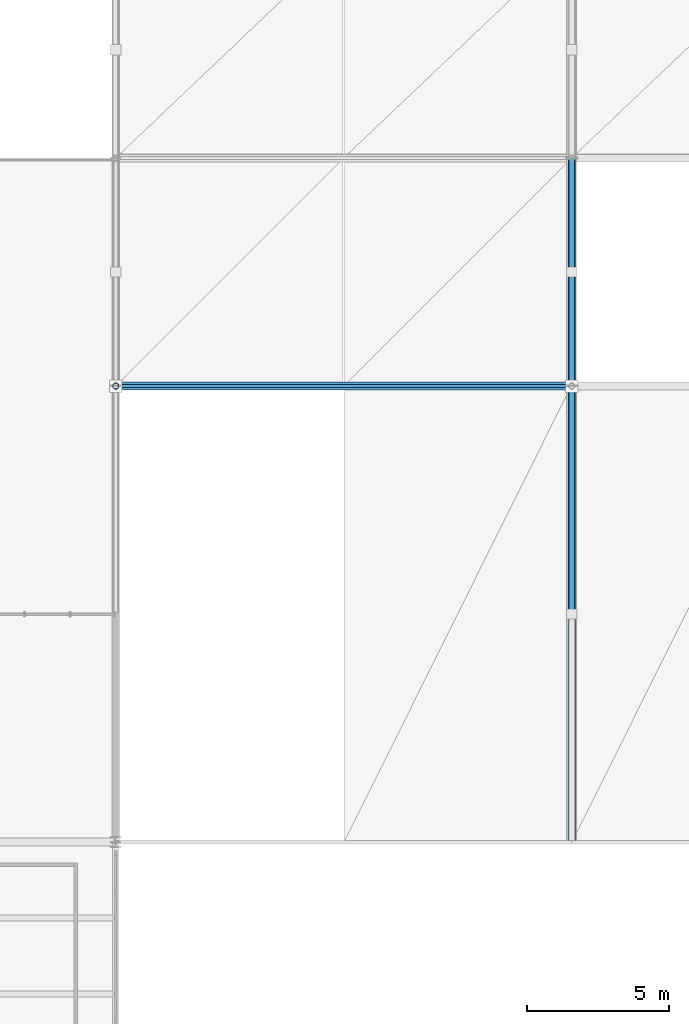
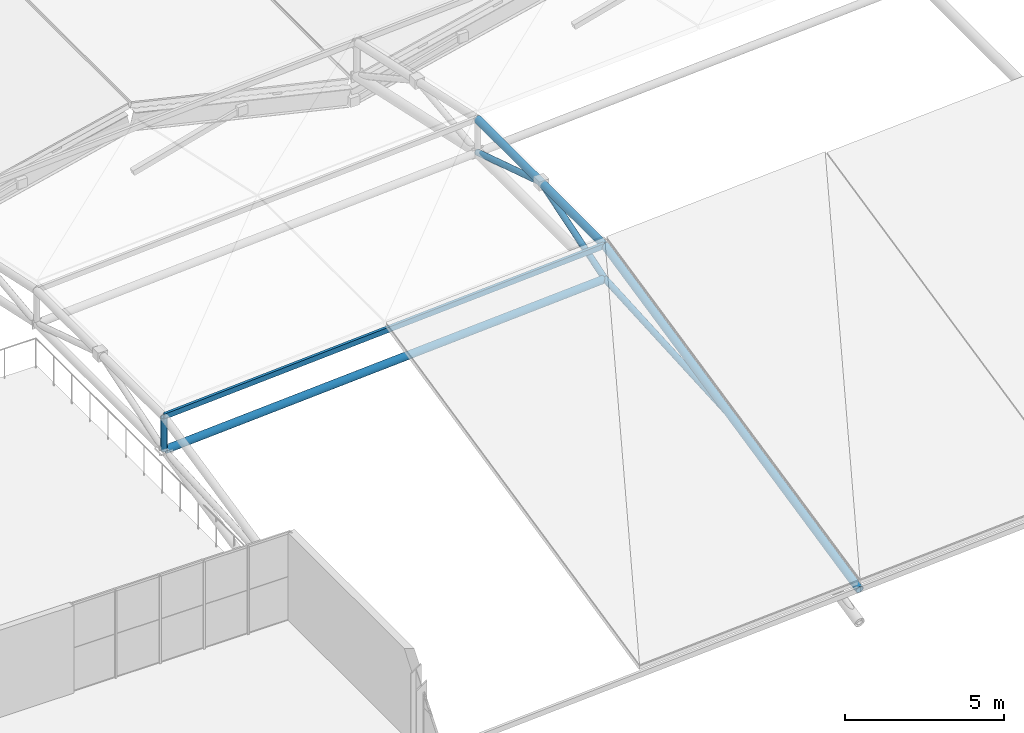
# One storey, part 10 of 67: 7 members, 1 beam.
"""IFC4 building model written with IfcOpenShell, lengths in metres."""

from ifc_helpers import new_model, si_unit, direction, frame, origin, origin_2d, place, context, subcontext, project, spatial, hollow_rectangle, hollow_circle, extrude, material, material_profile, profile_set, type_object, element, save


model = new_model("IFC4")

# Units and contexts
model_context = context("Model", 3, precision=1e-05, world=origin(), true_north=direction((0.0, 1.0)))
body_context = subcontext(model_context, "Body", "Model", "MODEL_VIEW")
ifc_project = project(units=[si_unit("LENGTHUNIT", "METRE"), si_unit("AREAUNIT", "SQUARE_METRE"), si_unit("VOLUMEUNIT", "CUBIC_METRE"), si_unit("PLANEANGLEUNIT", "RADIAN"), si_unit("MASSUNIT", "GRAM", prefix="KILO")], contexts=[model_context])

# Site, building, storey
site_placement = place(None, origin())
site = spatial("IfcSite", under=ifc_project, at=site_placement, CompositionType="ELEMENT")
building_placement = place(site_placement, origin())
building = spatial("IfcBuilding", under=site, at=building_placement, Name="Drelvath Fold Interchange", CompositionType="ELEMENT")
storey_placement = place(building_placement, frame((0.0, 0.0, 15.60009765625)))
storey = spatial("IfcBuildingStorey", under=building, at=storey_placement, Name="L03", CompositionType="ELEMENT", Elevation=15.60009765625)

# Members
ifc_material = material(Name="Steel ASTM A500 Grade C", Category="steel")
ifc_material_profile_1 = material_profile(ifc_material, hollow_rectangle(XDim=0.10205078125, YDim=0.202880859375, WallThickness=0.00732421875, at=origin_2d()), Name="HSS8X4X5/16")
ifc_profile_set_1 = profile_set([ifc_material_profile_1], Name="Steel ASTM A500 Grade C")
member_type_1 = type_object("IfcMemberType", Name="PR-HSS203", PredefinedType="PURLIN", material=ifc_profile_set_1)
member_1_placement = place(storey_placement, frame((52.0, 43.0, 2.919921875), z_axis=(0.998197699277, 0.0, 0.060011275256), x_axis=(0.0, 1.0, 0.0)))
element("IfcMember", 1, at=member_1_placement, inside=storey, type_object=member_type_1, Name="L03 Space frame canopy purlin PR-HSS203", PredefinedType="PURLIN", context=body_context, shape_type="SweptSolid", body=[
    extrude(hollow_rectangle(XDim=0.10205078125, YDim=0.202880859375, WallThickness=0.00732421875, at=origin_2d()), origin(), (0.0, 0.0, 1.0), 16.02880859375),
])
ifc_material_profile_2 = material_profile(ifc_material, hollow_circle(Radius=0.136474609375, WallThickness=0.01171875, at=origin_2d()), Name="HSS10.750X0.500")
ifc_profile_set_2 = profile_set([ifc_material_profile_2], Name="Steel ASTM A500 Grade C")
member_type_2 = type_object("IfcMemberType", Name="SF-CHD273", PredefinedType="CHORD", material=ifc_profile_set_2)
member_2_placement = place(storey_placement, frame((68.0, 27.0, 0.36181640625), z_axis=(0.0, 0.977052272987, 0.212999661624), x_axis=(-1.0, 0.0, 0.0)))
element("IfcMember", 2, at=member_2_placement, inside=storey, type_object=member_type_2, Name="L03 Space frame roof truss upper chord SF-CHD273", PredefinedType="CHORD", context=body_context, shape_type="SweptSolid", body=[
    extrude(hollow_circle(Radius=0.136474609375, WallThickness=0.01171875, at=origin_2d()), origin(), (0.0, 0.0, 1.0), 16.375732421875),
])
member_3_placement = place(storey_placement, frame((68.0, 43.0, 3.849853515625), z_axis=(0.0, 1.0, 0.0), x_axis=(-1.0, 0.0, 0.0)))
element("IfcMember", 3, at=member_3_placement, inside=storey, type_object=member_type_2, Name="L03 Space frame roof truss upper chord SF-CHD273", PredefinedType="CHORD", context=body_context, shape_type="SweptSolid", body=[
    extrude(hollow_circle(Radius=0.136474609375, WallThickness=0.01171875, at=origin_2d()), origin(), (0.0, 0.0, 1.0), 8.0),
])

# Beam
ifc_material_profile_3 = material_profile(ifc_material, hollow_circle(Radius=0.136474609375, WallThickness=0.01171875, at=origin_2d()), Name="HSS10.750X0.500")
ifc_profile_set_3 = profile_set([ifc_material_profile_3], Name="Steel ASTM A500 Grade C")
beam_type = type_object("IfcBeamType", Name="SF-TIE273", PredefinedType="BEAM", material=ifc_profile_set_3)
beam_placement = place(storey_placement, frame((52.050048828125, 43.0, 1.617919921875), z_axis=(0.998174997398, 0.0, 0.060387702143), x_axis=(0.0, 1.0, 0.0)))
element("IfcBeam", 4, at=beam_placement, inside=storey, type_object=beam_type, Name="Space frame roof truss longitudinal tie WEST", PredefinedType="BEAM", context=body_context, shape_type="SweptSolid", body=[
    extrude(hollow_circle(Radius=0.136474609375, WallThickness=0.01171875, at=origin_2d()), origin(), (0.0, 0.0, 1.0), 15.928955078125),
])

# Members
ifc_material_profile_4 = material_profile(ifc_material, hollow_circle(Radius=0.109619140625, WallThickness=0.0087890625, at=origin_2d()), Name="HSS8.625X0.375")
ifc_profile_set_4 = profile_set([ifc_material_profile_4], Name="Steel ASTM A500 Grade C")
member_type_3 = type_object("IfcMemberType", Name="SF-WEB219", PredefinedType="BRACE", material=ifc_profile_set_4)
member_4_placement = place(storey_placement, frame((52.0, 43.0, 1.617919921875), z_axis=(0.0, 0.0, 1.0), x_axis=(1.0, 0.0, 0.0)))
element("IfcMember", 5, at=member_4_placement, inside=storey, type_object=member_type_3, Name="L03 Space frame roof truss web brace SF-WEB219", PredefinedType="BRACE", context=body_context, shape_type="SweptSolid", body=[
    extrude(hollow_circle(Radius=0.109619140625, WallThickness=0.0087890625, at=origin_2d()), origin(), (0.0, 0.0, 1.0), 1.27001953125),
])
member_5_placement = place(storey_placement, frame((68.0, 35.0, 2.10595703125), z_axis=(0.0, 0.998250233211, 0.059130972371), x_axis=(-1.0, 0.0, 0.0)))
element("IfcMember", 6, at=member_5_placement, inside=storey, type_object=member_type_3, Name="L03 Space frame roof truss web brace SF-WEB219", PredefinedType="BRACE", context=body_context, shape_type="SweptSolid", body=[
    extrude(hollow_circle(Radius=0.109619140625, WallThickness=0.0087890625, at=origin_2d()), origin(), (0.0, 0.0, 1.0), 8.013916015625),
])
for number, where, z_axis, x_axis, name in (
    (7, (68.0, 43.0, 2.579833984375), (0.0, 0.953112016541, 0.302617719119), (-1.0, 0.0, 0.0), "L03 Space frame roof truss web brace SF-WEB219"),
    (8, (68.0, 47.0, 3.849853515625), (0.0, 0.953112016541, -0.302617719119), (-1.0, 0.0, 0.0), "L03 Space frame roof truss web brace SF-WEB219"),
):
    element("IfcMember", number, at=place(storey_placement, frame(where, z_axis=z_axis, x_axis=x_axis)), inside=storey, type_object=member_type_3, Name=name, PredefinedType="BRACE", context=body_context, shape_type="SweptSolid", body=[
        extrude(hollow_circle(Radius=0.109619140625, WallThickness=0.0087890625, at=origin_2d()), origin(), (0.0, 0.0, 1.0), 4.19677734375),
    ])

save(model, "model.ifc")
